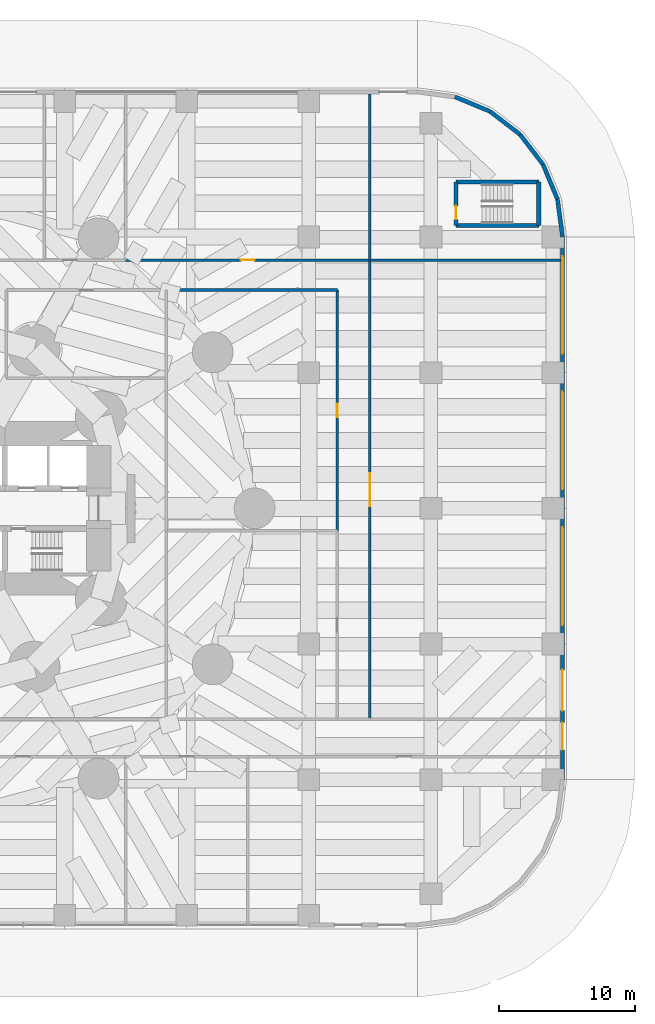
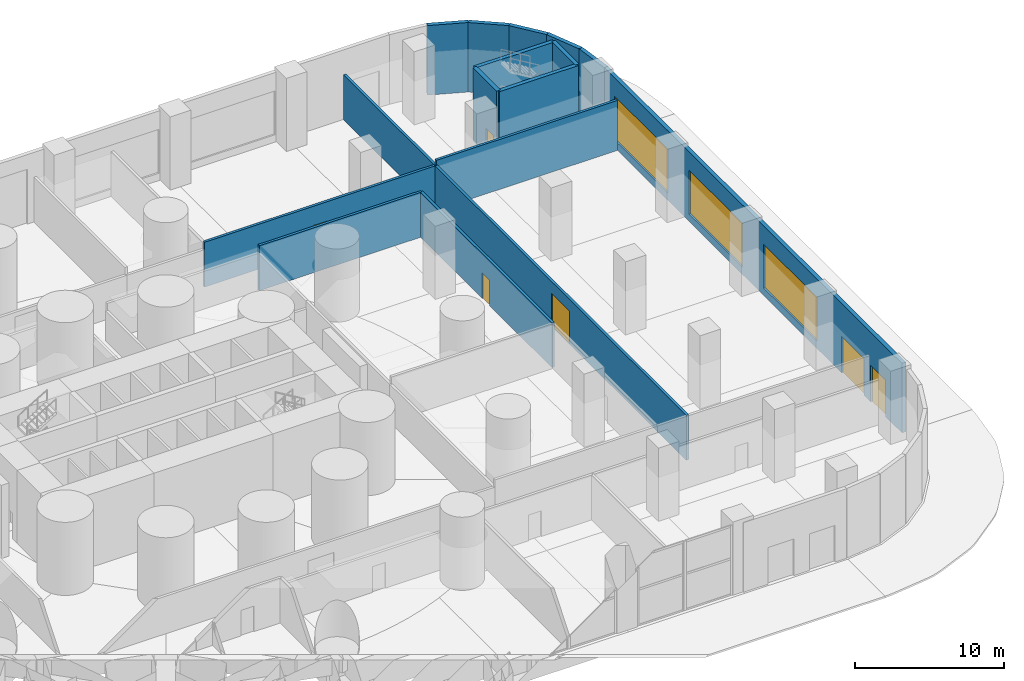
# One storey, part 15 of 20: 16 walls, 6 doors, 3 windows, 9 openings.
"""IFC4 building model written with IfcOpenShell, lengths in metres."""

from ifc_helpers import new_model, si_unit, direction, frame, frame_2d, origin, place, context, subcontext, project, spatial, rectangle, extrude, material, layer, layer_set, type_object, element, fill, save


model = new_model("IFC4")

# Units and contexts
model_context = context("Model", 3, precision=1e-05, world=origin(), true_north=direction((0.0, 1.0)))
body_context = subcontext(model_context, "Body", "Model", "MODEL_VIEW")
ifc_project = project(units=[si_unit("LENGTHUNIT", "METRE"), si_unit("AREAUNIT", "SQUARE_METRE"), si_unit("VOLUMEUNIT", "CUBIC_METRE"), si_unit("PLANEANGLEUNIT", "RADIAN"), si_unit("MASSUNIT", "GRAM", prefix="KILO")], contexts=[model_context])

# Site, building, storey
site_placement = place(None, origin())
site = spatial("IfcSite", under=ifc_project, at=site_placement, CompositionType="ELEMENT")
building_placement = place(site_placement, origin())
building = spatial("IfcBuilding", under=site, at=building_placement, Name="Qaws Media Tower", CompositionType="ELEMENT")
storey_placement = place(building_placement, origin())
storey = spatial("IfcBuildingStorey", under=building, at=storey_placement, Name="L00", CompositionType="ELEMENT", Elevation=0.0)

# Wall, openings, doors, windows
ifc_material_1 = material(Name="Precast concrete, exposed finish", Category="concrete")
ifc_layer_1 = layer(ifc_material_1, 0.300048828125)
ifc_layer_set_1 = layer_set([ifc_layer_1], Name="Podium facade wall 300")
wall_type_1 = type_object("IfcWallType", Name="Podium facade wall 300", PredefinedType="SOLIDWALL", material=ifc_layer_set_1)
wall_1_placement = place(storey_placement, frame((105.699951171875, 30.0, 0.0), z_axis=(0.0, 0.0, 1.0), x_axis=(0.0, 1.0, 0.0)))
wall_1 = element("IfcWall", 1, at=wall_1_placement, inside=storey, type_object=wall_type_1, Name="W791 EW2 podium wall L00-07", PredefinedType="SOLIDWALL", context=body_context, shape_type="SweptSolid", body=[
    extrude(rectangle(XDim=40.0, YDim=0.300048828125, at=frame_2d((20.0, 0.0))), origin(), (0.0, 0.0, 1.0), 5.699951171875),
])
opening_1_placement = place(wall_1_placement, frame((5.10009765625, 0.0, 0.0)))
opening_1 = element("IfcOpeningElement", 2, at=opening_1_placement, cuts=wall_1, Name="Opening D8", PredefinedType="OPENING", context=body_context, shape_type="SweptSolid", body=[
    extrude(rectangle(XDim=3.0, YDim=3.0, at=frame_2d((1.5, 1.5))), frame((0.0, 0.159912109375, 0.0), z_axis=(0.0, -1.0, 0.0), x_axis=(1.0, 0.0, 0.0)), (0.0, 0.0, 1.0), 0.320068359375),
])
opening_2_placement = place(wall_1_placement, frame((2.199951171875, 0.0, 0.0)))
opening_2 = element("IfcOpeningElement", 3, at=opening_2_placement, cuts=wall_1, Name="Opening D9", PredefinedType="OPENING", context=body_context, shape_type="SweptSolid", body=[
    extrude(rectangle(XDim=2.0, YDim=3.0, at=frame_2d((1.0, 1.5))), frame((0.0, 0.159912109375, 0.0), z_axis=(0.0, -1.0, 0.0), x_axis=(1.0, 0.0, 0.0)), (0.0, 0.0, 1.0), 0.320068359375),
])
opening_3_placement = place(wall_1_placement, frame((11.39990234375, 0.0, 0.60009765625)))
opening_3 = element("IfcOpeningElement", 4, at=opening_3_placement, cuts=wall_1, Name="Opening W3", PredefinedType="OPENING", context=body_context, shape_type="SweptSolid", body=[
    extrude(rectangle(XDim=7.199951171875, YDim=3.60009765625, at=frame_2d((3.60009765625, 1.800048828125))), frame((0.0, 0.159912109375, 0.0), z_axis=(0.0, -1.0, 0.0), x_axis=(1.0, 0.0, 0.0)), (0.0, 0.0, 1.0), 0.320068359375),
])
opening_4_placement = place(wall_1_placement, frame((21.39990234375, 0.0, 0.60009765625)))
opening_4 = element("IfcOpeningElement", 5, at=opening_4_placement, cuts=wall_1, Name="Opening W3", PredefinedType="OPENING", context=body_context, shape_type="SweptSolid", body=[
    extrude(rectangle(XDim=7.199951171875, YDim=3.60009765625, at=frame_2d((3.60009765625, 1.800048828125))), frame((0.0, 0.159912109375, 0.0), z_axis=(0.0, -1.0, 0.0), x_axis=(1.0, 0.0, 0.0)), (0.0, 0.0, 1.0), 0.320068359375),
])
opening_5_placement = place(wall_1_placement, frame((31.39990234375, 0.0, 0.60009765625)))
opening_5 = element("IfcOpeningElement", 6, at=opening_5_placement, cuts=wall_1, Name="Opening W3", PredefinedType="OPENING", context=body_context, shape_type="SweptSolid", body=[
    extrude(rectangle(XDim=7.199951171875, YDim=3.60009765625, at=frame_2d((3.60009765625, 1.800048828125))), frame((0.0, 0.159912109375, 0.0), z_axis=(0.0, -1.0, 0.0), x_axis=(1.0, 0.0, 0.0)), (0.0, 0.0, 1.0), 0.320068359375),
])
ifc_material_2 = material(Name="Aluminium and clear glass", Category="aluminium")
door_type_1 = type_object("IfcDoorType", Name="Entrance door pair 3000", OperationType="DOUBLE_DOOR_SLIDING", PredefinedType="DOOR", material=ifc_material_2)
door_1_placement = place(opening_1_placement, origin())
door_1 = element("IfcDoor", 7, at=door_1_placement, inside=storey, type_object=door_type_1, Name="D8 door L00 bay 2 in wall W791", OperationType="DOUBLE_DOOR_SLIDING", OverallHeight=3.0, OverallWidth=3.0, PredefinedType="DOOR", context=body_context, shape_type="SweptSolid", body=[
    extrude(rectangle(XDim=3.0, YDim=3.0, at=frame_2d((1.5, 1.5))), frame((0.0, 0.02490234375, 0.0), z_axis=(0.0, -1.0, 0.0), x_axis=(1.0, 0.0, 0.0)), (0.0, 0.0, 1.0), 0.050048828125),
])
fill(opening_1, door_1)
ifc_material_3 = material(Name="Aluminium and clear glass", Category="aluminium")
door_type_2 = type_object("IfcDoorType", Name="Shop door pair 2000", OperationType="DOUBLE_DOOR_DOUBLE_SWING", PredefinedType="DOOR", material=ifc_material_3)
door_2_placement = place(opening_2_placement, origin())
door_2 = element("IfcDoor", 8, at=door_2_placement, inside=storey, type_object=door_type_2, Name="D9 door L00 bay 2b in wall W791", OperationType="DOUBLE_DOOR_DOUBLE_SWING", OverallHeight=3.0, OverallWidth=2.0, PredefinedType="DOOR", context=body_context, shape_type="SweptSolid", body=[
    extrude(rectangle(XDim=2.0, YDim=3.0, at=frame_2d((1.0, 1.5))), frame((0.0, 0.02490234375, 0.0), z_axis=(0.0, -1.0, 0.0), x_axis=(1.0, 0.0, 0.0)), (0.0, 0.0, 1.0), 0.050048828125),
])
fill(opening_2, door_2)
ifc_material_4 = material(Name="Aluminium and clear glass", Category="aluminium")
window_type = type_object("IfcWindowType", Name="Shopfront window 7200x3600", PartitioningType="TRIPLE_PANEL_HORIZONTAL", PredefinedType="WINDOW", material=ifc_material_4)
window_1_placement = place(opening_3_placement, origin())
window_1 = element("IfcWindow", 9, at=window_1_placement, inside=storey, type_object=window_type, Name="W3 window L00 bay 3", OverallHeight=3.60009765625, OverallWidth=7.199951171875, PartitioningType="SINGLE_PANEL", PredefinedType="WINDOW", context=body_context, shape_type="SweptSolid", body=[
    extrude(rectangle(XDim=7.199951171875, YDim=3.60009765625, at=frame_2d((3.60009765625, 1.800048828125))), frame((0.0, 0.030029296875, 0.0), z_axis=(0.0, -1.0, 0.0), x_axis=(1.0, 0.0, 0.0)), (0.0, 0.0, 1.0), 0.06005859375),
])
fill(opening_3, window_1)
window_2_placement = place(opening_4_placement, origin())
window_2 = element("IfcWindow", 10, at=window_2_placement, inside=storey, type_object=window_type, Name="W3 window L00 bay 4", OverallHeight=3.60009765625, OverallWidth=7.199951171875, PartitioningType="SINGLE_PANEL", PredefinedType="WINDOW", context=body_context, shape_type="SweptSolid", body=[
    extrude(rectangle(XDim=7.199951171875, YDim=3.60009765625, at=frame_2d((3.60009765625, 1.800048828125))), frame((0.0, 0.030029296875, 0.0), z_axis=(0.0, -1.0, 0.0), x_axis=(1.0, 0.0, 0.0)), (0.0, 0.0, 1.0), 0.06005859375),
])
fill(opening_4, window_2)
window_3_placement = place(opening_5_placement, origin())
window_3 = element("IfcWindow", 11, at=window_3_placement, inside=storey, type_object=window_type, Name="W3 window L00 bay 5", OverallHeight=3.60009765625, OverallWidth=7.199951171875, PartitioningType="SINGLE_PANEL", PredefinedType="WINDOW", context=body_context, shape_type="SweptSolid", body=[
    extrude(rectangle(XDim=7.199951171875, YDim=3.60009765625, at=frame_2d((3.60009765625, 1.800048828125))), frame((0.0, 0.030029296875, 0.0), z_axis=(0.0, -1.0, 0.0), x_axis=(1.0, 0.0, 0.0)), (0.0, 0.0, 1.0), 0.06005859375),
])
fill(opening_5, window_3)

# Walls
wall_2_placement = place(storey_placement, frame((105.699951171875, 70.0, 0.0), z_axis=(0.0, 0.0, 1.0), x_axis=(-0.130497471798, 0.991448642066, 0.0)))
element("IfcWall", 12, at=wall_2_placement, inside=storey, type_object=wall_type_1, Name="W792 EW2 podium wall L00-08", PredefinedType="SOLIDWALL", context=body_context, shape_type="SweptSolid", body=[
    extrude(rectangle(XDim=2.793212890625, YDim=0.300048828125, at=frame_2d((1.396484375, 0.0))), origin(), (0.0, 0.0, 1.0), 5.699951171875),
])
wall_3_placement = place(storey_placement, frame((105.33544921875, 72.769287109375, 0.0), z_axis=(0.0, 0.0, 1.0), x_axis=(-0.382709424419, 0.923868765822, 0.0)))
element("IfcWall", 13, at=wall_3_placement, inside=storey, type_object=wall_type_1, Name="W790 EW2 podium wall L00-09", PredefinedType="SOLIDWALL", context=body_context, shape_type="SweptSolid", body=[
    extrude(rectangle(XDim=2.79345703125, YDim=0.300048828125, at=frame_2d((1.396728515625, 0.0))), origin(), (0.0, 0.0, 1.0), 5.699951171875),
])
for number, where, z_axis, x_axis, name in (
    (14, (104.266357421875, 75.35009765625, 0.0), (0.0, 0.0, 1.0), (-0.608704923183, 0.793396695539, 0.0), "W788 EW2 podium wall L00-10"),
    (15, (102.566162109375, 77.566162109375, 0.0), (0.0, 0.0, 1.0), (-0.793396695539, 0.608704923183, 0.0), "W786 EW2 podium wall L00-11"),
):
    element("IfcWall", number, at=place(storey_placement, frame(where, z_axis=z_axis, x_axis=x_axis)), inside=storey, type_object=wall_type_1, Name=name, PredefinedType="SOLIDWALL", context=body_context, shape_type="SweptSolid", body=[
        extrude(rectangle(XDim=2.793212890625, YDim=0.300048828125, at=frame_2d((1.396484375, 0.0))), origin(), (0.0, 0.0, 1.0), 5.699951171875),
    ])
wall_4_placement = place(storey_placement, frame((100.35009765625, 79.266357421875, 0.0), z_axis=(0.0, 0.0, 1.0), x_axis=(-0.923868765822, 0.382709424419, 0.0)))
element("IfcWall", 16, at=wall_4_placement, inside=storey, type_object=wall_type_1, Name="W784 EW2 podium wall L00-12", PredefinedType="SOLIDWALL", context=body_context, shape_type="SweptSolid", body=[
    extrude(rectangle(XDim=2.79345703125, YDim=0.300048828125, at=frame_2d((1.396728515625, 0.0))), origin(), (0.0, 0.0, 1.0), 5.699951171875),
])

# Wall, opening, door
ifc_material_5 = material(Name="Gypsum board on galvanised metal studs, acoustic double stud, deflection head", Category="gypsum")
ifc_layer_2 = layer(ifc_material_5, 0.199951171875)
ifc_layer_set_2 = layer_set([ifc_layer_2], Name="Room partition 200")
wall_type_2 = type_object("IfcWallType", Name="Room partition 200", PredefinedType="PARTITIONING", material=ifc_layer_set_2)
wall_5_placement = place(storey_placement, frame((89.10009765625, 48.35009765625, 0.0), z_axis=(0.0, 0.0, 1.0), x_axis=(0.0, 1.0, 0.0)))
wall_5 = element("IfcWall", 17, at=wall_5_placement, inside=storey, type_object=wall_type_2, Name="W883 IW3 partition L00", PredefinedType="PARTITIONING", context=body_context, shape_type="SweptSolid", body=[
    extrude(rectangle(XDim=17.75, YDim=0.199951171875, at=frame_2d((8.875, 0.0))), origin(), (0.0, 0.0, 1.0), 3.679931640625),
])
opening_6_placement = place(wall_5_placement, frame((8.375, 0.0, 0.0)))
opening_6 = element("IfcOpeningElement", 18, at=opening_6_placement, cuts=wall_5, Name="Opening D5", PredefinedType="OPENING", context=body_context, shape_type="SweptSolid", body=[
    extrude(rectangle(XDim=1.0, YDim=2.10009765625, at=frame_2d((0.5, 1.050048828125))), frame((0.0, 0.10986328125, 0.0), z_axis=(0.0, -1.0, 0.0), x_axis=(1.0, 0.0, 0.0)), (0.0, 0.0, 1.0), 0.219970703125),
])
ifc_material_6 = material(Name="Timber veneered, acoustic seal", Category="wood")
door_type_3 = type_object("IfcDoorType", Name="Room door 1000", OperationType="SINGLE_SWING_LEFT", PredefinedType="DOOR", material=ifc_material_6)
door_3_placement = place(opening_6_placement, origin())
door_3 = element("IfcDoor", 19, at=door_3_placement, inside=storey, type_object=door_type_3, Name="D5 Visitor ticket office door in wall W883", OperationType="SINGLE_SWING_LEFT", OverallHeight=2.10009765625, OverallWidth=1.0, PredefinedType="DOOR", context=body_context, shape_type="SweptSolid", body=[
    extrude(rectangle(XDim=1.0, YDim=2.10009765625, at=frame_2d((0.5, 1.050048828125))), frame((0.0, 0.02490234375, 0.0), z_axis=(0.0, -1.0, 0.0), x_axis=(1.0, 0.0, 0.0)), (0.0, 0.0, 1.0), 0.050048828125),
])
fill(opening_6, door_3)

wall_6_placement = place(storey_placement, frame((91.5, 34.449951171875, 0.0), z_axis=(0.0, 0.0, 1.0), x_axis=(0.0, 1.0, 0.0)))
wall_6 = element("IfcWall", 20, at=wall_6_placement, inside=storey, type_object=wall_type_2, Name="W884 IW3 partition L00", PredefinedType="PARTITIONING", context=body_context, shape_type="SweptSolid", body=[
    extrude(rectangle(XDim=33.85009765625, YDim=0.199951171875, at=frame_2d((16.925048828125, 0.0))), origin(), (0.0, 0.0, 1.0), 3.679931640625),
])
opening_7_placement = place(wall_6_placement, frame((15.72509765625, 0.0, 0.0)))
opening_7 = element("IfcOpeningElement", 21, at=opening_7_placement, cuts=wall_6, Name="Opening D20", PredefinedType="OPENING", context=body_context, shape_type="SweptSolid", body=[
    extrude(rectangle(XDim=2.39990234375, YDim=2.699951171875, at=frame_2d((1.199951171875, 1.35009765625))), frame((0.0, 0.10986328125, 0.0), z_axis=(0.0, -1.0, 0.0), x_axis=(1.0, 0.0, 0.0)), (0.0, 0.0, 1.0), 0.219970703125),
])
ifc_material_7 = material(Name="Steel, fire rated", Category="steel")
door_type_4 = type_object("IfcDoorType", Name="Workshop door pair 2400x2700", OperationType="DOUBLE_DOOR_DOUBLE_SWING", PredefinedType="DOOR", material=ifc_material_7)
door_4_placement = place(opening_7_placement, origin())
door_4 = element("IfcDoor", 22, at=door_4_placement, inside=storey, type_object=door_type_4, Name="D20 Outside broadcast workshop door in wall W884", OperationType="DOUBLE_DOOR_DOUBLE_SWING", OverallHeight=2.699951171875, OverallWidth=2.39990234375, PredefinedType="DOOR", context=body_context, shape_type="SweptSolid", body=[
    extrude(rectangle(XDim=2.39990234375, YDim=2.699951171875, at=frame_2d((1.199951171875, 1.35009765625))), frame((0.0, 0.02490234375, 0.0), z_axis=(0.0, -1.0, 0.0), x_axis=(1.0, 0.0, 0.0)), (0.0, 0.0, 1.0), 0.050048828125),
])
fill(opening_7, door_4)

# Walls
wall_7_placement = place(storey_placement, frame((91.5, 68.300048828125, 0.0), z_axis=(0.0, 0.0, 1.0), x_axis=(0.0, 1.0, 0.0)))
element("IfcWall", 23, at=wall_7_placement, inside=storey, type_object=wall_type_2, Name="W886 IW3 partition L00", PredefinedType="PARTITIONING", context=body_context, shape_type="SweptSolid", body=[
    extrude(rectangle(XDim=12.244873046875, YDim=0.199951171875, at=frame_2d((6.12255859375, 0.0))), origin(), (0.0, 0.0, 1.0), 3.679931640625),
])
wall_8_placement = place(storey_placement, frame((76.5, 66.10009765625, 0.0), z_axis=(0.0, 0.0, 1.0), x_axis=(1.0, 0.0, 0.0)))
element("IfcWall", 24, at=wall_8_placement, inside=storey, type_object=wall_type_2, Name="W837 IW3 partition L00", PredefinedType="PARTITIONING", context=body_context, shape_type="SweptSolid", body=[
    extrude(rectangle(XDim=12.60009765625, YDim=0.199951171875, at=frame_2d((6.300048828125, 0.0))), origin(), (0.0, 0.0, 1.0), 3.679931640625),
])

# Wall, opening, door
wall_9_placement = place(storey_placement, frame((73.5, 68.300048828125, 0.0), z_axis=(0.0, 0.0, 1.0), x_axis=(1.0, 0.0, 0.0)))
wall_9 = element("IfcWall", 25, at=wall_9_placement, inside=storey, type_object=wall_type_2, Name="W874 IW3 partition L00", PredefinedType="PARTITIONING", context=body_context, shape_type="SweptSolid", body=[
    extrude(rectangle(XDim=18.0, YDim=0.199951171875, at=frame_2d((9.0, 0.0))), origin(), (0.0, 0.0, 1.0), 3.679931640625),
])
opening_8_placement = place(wall_9_placement, frame((8.5, 0.0, 0.0)))
opening_8 = element("IfcOpeningElement", 26, at=opening_8_placement, cuts=wall_9, Name="Opening D5", PredefinedType="OPENING", context=body_context, shape_type="SweptSolid", body=[
    extrude(rectangle(XDim=1.0, YDim=2.10009765625, at=frame_2d((0.5, 1.050048828125))), frame((0.0, 0.10986328125, 0.0), z_axis=(0.0, -1.0, 0.0), x_axis=(1.0, 0.0, 0.0)), (0.0, 0.0, 1.0), 0.219970703125),
])
door_5_placement = place(opening_8_placement, origin())
door_5 = element("IfcDoor", 27, at=door_5_placement, inside=storey, type_object=door_type_3, Name="D5 Post room door in wall W874", OperationType="SINGLE_SWING_LEFT", OverallHeight=2.10009765625, OverallWidth=1.0, PredefinedType="DOOR", context=body_context, shape_type="SweptSolid", body=[
    extrude(rectangle(XDim=1.0, YDim=2.10009765625, at=frame_2d((0.5, 1.050048828125))), frame((0.0, 0.02490234375, 0.0), z_axis=(0.0, -1.0, 0.0), x_axis=(1.0, 0.0, 0.0)), (0.0, 0.0, 1.0), 0.050048828125),
])
fill(opening_8, door_5)

# Walls
wall_10_placement = place(storey_placement, frame((91.5, 68.300048828125, 0.0), z_axis=(0.0, 0.0, 1.0), x_axis=(1.0, 0.0, 0.0)))
element("IfcWall", 28, at=wall_10_placement, inside=storey, type_object=wall_type_2, Name="W887 IW3 partition L00", PredefinedType="PARTITIONING", context=body_context, shape_type="SweptSolid", body=[
    extrude(rectangle(XDim=14.044921875, YDim=0.199951171875, at=frame_2d((7.0224609375, 0.0))), origin(), (0.0, 0.0, 1.0), 4.10009765625),
])
ifc_material_8 = material(Name="Concrete C60/75", Category="concrete")
ifc_layer_3 = layer(ifc_material_8, 0.300048828125)
ifc_layer_set_3 = layer_set([ifc_layer_3], Name="Stair enclosure wall 300")
wall_type_3 = type_object("IfcWallType", Name="Stair enclosure wall 300", PredefinedType="SHEAR", material=ifc_layer_set_3)
for number, where, z_axis, x_axis, name in (
    (29, (97.85009765625, 70.85009765625, 0.0), (0.0, 0.0, 1.0), (1.0, 0.0, 0.0), "W1887 SW7 stair S4 enclosure S L00"),
    (30, (97.85009765625, 74.050048828125, 0.0), (0.0, 0.0, 1.0), (1.0, 0.0, 0.0), "W1888 SW7 stair S4 enclosure N L00"),
):
    element("IfcWall", number, at=place(storey_placement, frame(where, z_axis=z_axis, x_axis=x_axis)), inside=storey, type_object=wall_type_3, Name=name, PredefinedType="SHEAR", context=body_context, shape_type="SweptSolid", body=[
        extrude(rectangle(XDim=6.099853515625, YDim=0.300048828125, at=frame_2d((3.0498046875, 0.0))), origin(), (0.0, 0.0, 1.0), 6.0),
    ])

# Wall, opening, door
wall_11_placement = place(storey_placement, frame((97.85009765625, 70.85009765625, 0.0), z_axis=(0.0, 0.0, 1.0), x_axis=(0.0, 1.0, 0.0)))
wall_11 = element("IfcWall", 31, at=wall_11_placement, inside=storey, type_object=wall_type_3, Name="W1886 SW7 stair S4 enclosure W L00", PredefinedType="SHEAR", context=body_context, shape_type="SweptSolid", body=[
    extrude(rectangle(XDim=3.199951171875, YDim=0.300048828125, at=frame_2d((1.60009765625, 0.0))), origin(), (0.0, 0.0, 1.0), 6.0),
])
opening_9_placement = place(wall_11_placement, frame((0.449951171875, 0.0, 0.0)))
opening_9 = element("IfcOpeningElement", 32, at=opening_9_placement, cuts=wall_11, Name="Opening D1", PredefinedType="OPENING", context=body_context, shape_type="SweptSolid", body=[
    extrude(rectangle(XDim=1.0, YDim=2.10009765625, at=frame_2d((0.5, 1.050048828125))), frame((0.0, 0.159912109375, 0.0), z_axis=(0.0, -1.0, 0.0), x_axis=(1.0, 0.0, 0.0)), (0.0, 0.0, 1.0), 0.320068359375),
])
ifc_material_9 = material(Name="Steel, fire rated", Category="steel")
door_type_5 = type_object("IfcDoorType", Name="Stair door 1000 FD120", OperationType="SINGLE_SWING_LEFT", PredefinedType="DOOR", material=ifc_material_9)
door_6_placement = place(opening_9_placement, origin())
door_6 = element("IfcDoor", 33, at=door_6_placement, inside=storey, type_object=door_type_5, Name="D1 stair S4 door L00 in wall W1886", OperationType="SINGLE_SWING_LEFT", OverallHeight=2.10009765625, OverallWidth=1.0, PredefinedType="DOOR", context=body_context, shape_type="SweptSolid", body=[
    extrude(rectangle(XDim=1.0, YDim=2.10009765625, at=frame_2d((0.5, 1.050048828125))), frame((0.0, 0.02490234375, 0.0), z_axis=(0.0, -1.0, 0.0), x_axis=(1.0, 0.0, 0.0)), (0.0, 0.0, 1.0), 0.050048828125),
])
fill(opening_9, door_6)

# Wall
wall_12_placement = place(storey_placement, frame((103.949951171875, 70.85009765625, 0.0), z_axis=(0.0, 0.0, 1.0), x_axis=(0.0, 1.0, 0.0)))
element("IfcWall", 34, at=wall_12_placement, inside=storey, type_object=wall_type_3, Name="W1889 SW7 stair S4 enclosure E L00", PredefinedType="SHEAR", context=body_context, shape_type="SweptSolid", body=[
    extrude(rectangle(XDim=3.199951171875, YDim=0.300048828125, at=frame_2d((1.60009765625, 0.0))), origin(), (0.0, 0.0, 1.0), 6.0),
])

save(model, "model.ifc")
